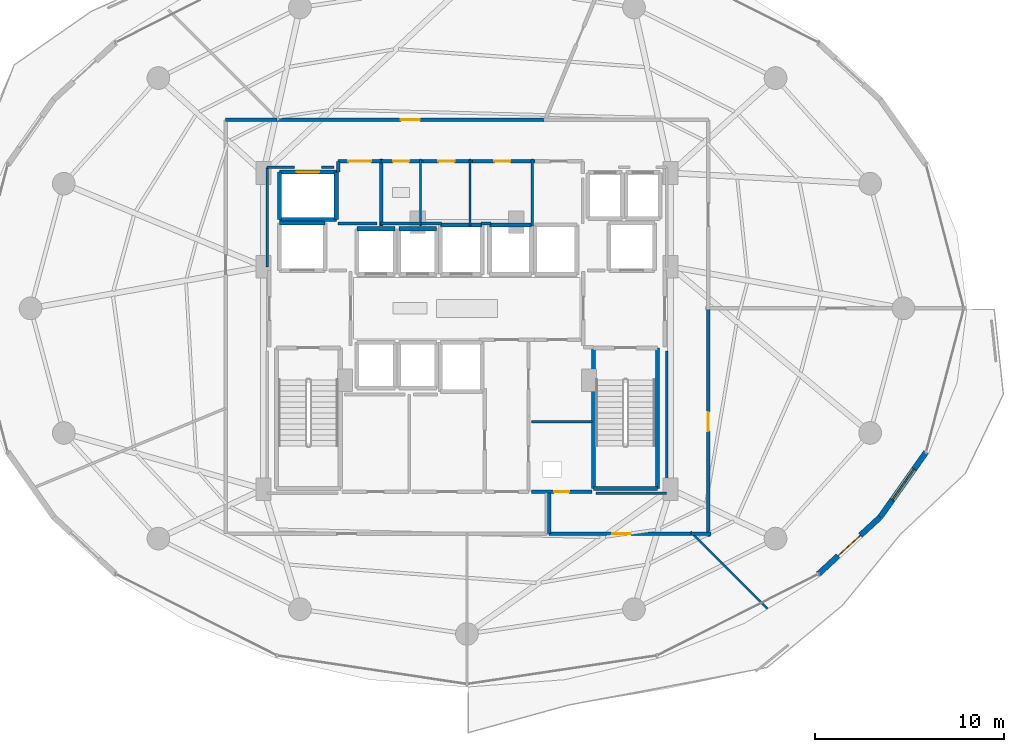
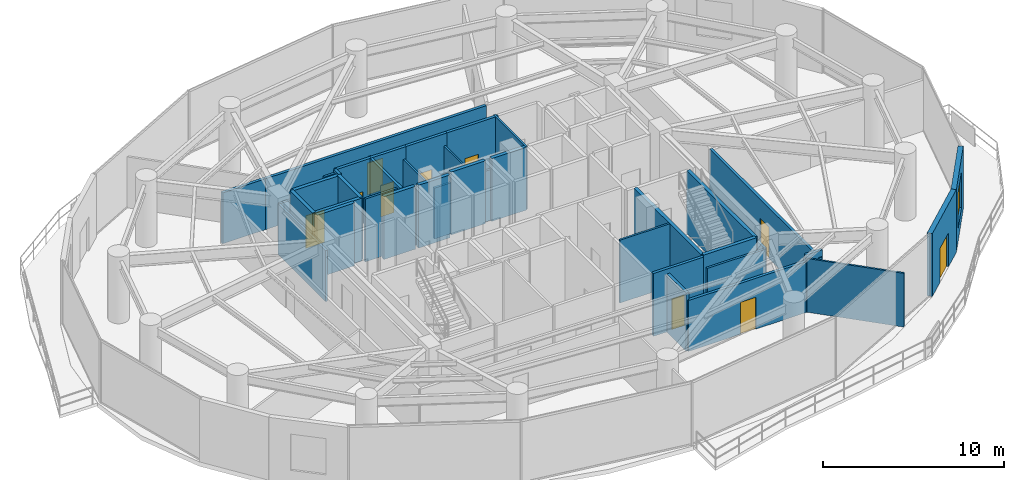
# One storey, part 21 of 27: 41 walls, 10 doors, 1 window, 11 openings.
"""IFC4 building model written with IfcOpenShell, lengths in metres."""

from ifc_helpers import new_model, si_unit, direction, frame, frame_2d, origin, place, context, subcontext, project, spatial, rectangle, extrude, material, layer, layer_set, type_object, element, fill, save


model = new_model("IFC4")

# Units and contexts
model_context = context("Model", 3, precision=1e-05, world=origin(), true_north=direction((0.0, 1.0)))
body_context = subcontext(model_context, "Body", "Model", "MODEL_VIEW")
ifc_project = project(units=[si_unit("LENGTHUNIT", "METRE"), si_unit("AREAUNIT", "SQUARE_METRE"), si_unit("VOLUMEUNIT", "CUBIC_METRE"), si_unit("PLANEANGLEUNIT", "RADIAN"), si_unit("MASSUNIT", "GRAM", prefix="KILO")], contexts=[model_context])

# Site, building, storey
site_placement = place(None, origin())
site = spatial("IfcSite", under=ifc_project, at=site_placement, CompositionType="ELEMENT")
building_placement = place(site_placement, origin())
building = spatial("IfcBuilding", under=site, at=building_placement, Name="Vorneva Point Tower", CompositionType="ELEMENT")
storey_placement = place(building_placement, frame((0.0, 0.0, 74.300048828125)))
storey = spatial("IfcBuildingStorey", under=building, at=storey_placement, Name="L19", CompositionType="ELEMENT", Elevation=74.300048828125)

# Wall
ifc_material_1 = material(Name="Concrete B60 (C50/60)", Category="concrete")
ifc_layer_1 = layer(ifc_material_1, 0.5)
ifc_layer_set_1 = layer_set([ifc_layer_1], Name="Concrete B60 (C50/60)")
wall_type_1 = type_object("IfcWallType", Name="WL-CORE-500", PredefinedType="SHEAR", material=ifc_layer_set_1)
wall_1_placement = place(storey_placement, frame((30.5, 30.5, 0.0), z_axis=(0.0, 0.0, 1.0), x_axis=(-1.0, 0.0, 0.0)))
element("IfcWall", 1, at=wall_1_placement, inside=storey, type_object=wall_type_1, Name="L19 Lift FFL1 Shaft Wall +Y", PredefinedType="SHEAR", context=body_context, shape_type="SweptSolid", body=[
    extrude(rectangle(XDim=2.39990234375, YDim=0.219970703125, at=frame_2d((1.199951171875, 0.0))), origin(), (0.0, 0.0, 1.0), 4.239990234375),
])

# Wall, opening, door
ifc_material_2 = material(Name="Precast concrete B50 (C40/50)", Category="concrete")
ifc_layer_2 = layer(ifc_material_2, 0.300048828125)
ifc_layer_set_2 = layer_set([ifc_layer_2], Name="Precast concrete B50 (C40/50)")
wall_type_2 = type_object("IfcWallType", Name="WL-EXT-300", PredefinedType="STANDARD", material=ifc_layer_set_2)
wall_2_placement = place(storey_placement, frame((56.5615234375, 11.9638671875, 0.0), z_axis=(0.0, 0.0, 1.0), x_axis=(0.735416718093, 0.677615119924, 0.0)))
wall_2 = element("IfcWall", 2, at=wall_2_placement, inside=storey, type_object=wall_type_2, Name="L19 Pale-Metal Facade Spandrel Wall 15.1", PredefinedType="STANDARD", context=body_context, shape_type="SweptSolid", body=[
    extrude(rectangle(XDim=4.439208984375, YDim=0.300048828125, at=frame_2d((2.2197265625, 0.0))), origin(), (0.0, 0.0, 1.0), 4.239990234375),
])
opening_1_placement = place(wall_2_placement, frame((1.41943359375, 0.0, 0.0)))
opening_1 = element("IfcOpeningElement", 3, at=opening_1_placement, cuts=wall_2, Name="Opening BD-01", PredefinedType="OPENING", context=body_context, shape_type="SweptSolid", body=[
    extrude(rectangle(XDim=1.60009765625, YDim=2.300048828125, at=frame_2d((0.800048828125, 1.14990234375))), frame((0.0, 0.1650390625, 0.0), z_axis=(0.0, -1.0, 0.0), x_axis=(1.0, 0.0, 0.0)), (0.0, 0.0, 1.0), 0.329833984375),
])
ifc_material_3 = material(Name="Pale anodised aluminium", Category="aluminium")
door_type_1 = type_object("IfcDoorType", Name="DR-BAL-1600", OperationType="SLIDING_TO_LEFT", PredefinedType="DOOR", material=ifc_material_3)
door_1_placement = place(opening_1_placement, origin())
door_1 = element("IfcDoor", 4, at=door_1_placement, inside=storey, type_object=door_type_1, Name="L19 Balcony Terrace Access Door 15", OperationType="SLIDING_TO_LEFT", OverallHeight=2.300048828125, OverallWidth=1.60009765625, PredefinedType="DOOR", context=body_context, shape_type="SweptSolid", body=[
    extrude(rectangle(XDim=1.60009765625, YDim=2.300048828125, at=frame_2d((0.800048828125, 1.14990234375))), frame((0.0, 0.02490234375, 0.0), z_axis=(0.0, -1.0, 0.0), x_axis=(1.0, 0.0, 0.0)), (0.0, 0.0, 1.0), 0.050048828125),
])
fill(opening_1, door_1)

# Wall, opening, window
wall_3_placement = place(storey_placement, frame((59.826171875, 14.971923828125, 0.0), z_axis=(0.0, 0.0, 1.0), x_axis=(0.57716435238, 0.81662801222, 0.0)))
wall_3 = element("IfcWall", 5, at=wall_3_placement, inside=storey, type_object=wall_type_2, Name="L19 Pale-Metal Facade Spandrel Wall 15.2", PredefinedType="STANDARD", context=body_context, shape_type="SweptSolid", body=[
    extrude(rectangle(XDim=4.202392578125, YDim=0.300048828125, at=frame_2d((2.10107421875, 0.0))), origin(), (0.0, 0.0, 1.0), 4.239990234375),
])
opening_2_placement = place(wall_3_placement, frame((1.101318359375, 0.0, 0.85009765625)))
opening_2 = element("IfcOpeningElement", 6, at=opening_2_placement, cuts=wall_3, Name="Opening W-07", PredefinedType="OPENING", context=body_context, shape_type="SweptSolid", body=[
    extrude(rectangle(XDim=2.0, YDim=2.449951171875, at=frame_2d((1.0, 1.22509765625))), frame((0.0, 0.1650390625, 0.0), z_axis=(0.0, -1.0, 0.0), x_axis=(1.0, 0.0, 0.0)), (0.0, 0.0, 1.0), 0.329833984375),
])
ifc_material_4 = material(Name="Double low-e laminated glass IGU", Category="glass")
window_type = type_object("IfcWindowType", Name="WN-SKY-2000", PartitioningType="SINGLE_PANEL", PredefinedType="WINDOW", material=ifc_material_4)
window_placement = place(opening_2_placement, origin())
window = element("IfcWindow", 7, at=window_placement, inside=storey, type_object=window_type, Name="L19 Facade Window 15", OverallHeight=2.449951171875, OverallWidth=2.0, PartitioningType="SINGLE_PANEL", PredefinedType="WINDOW", context=body_context, shape_type="SweptSolid", body=[
    extrude(rectangle(XDim=2.0, YDim=2.449951171875, at=frame_2d((1.0, 1.22509765625))), frame((0.0, 0.030029296875, 0.0), z_axis=(0.0, -1.0, 0.0), x_axis=(1.0, 0.0, 0.0)), (0.0, 0.0, 1.0), 0.06005859375),
])
fill(opening_2, window)

# Walls
ifc_material_5 = material(Name="Fire-rated acoustic gypsum stud partition", Category="gypsum")
ifc_layer_3 = layer(ifc_material_5, 0.110107421875)
ifc_layer_set_3 = layer_set([ifc_layer_3], Name="Fire-rated acoustic gypsum stud partition")
wall_type_3 = type_object("IfcWallType", Name="WL-PART-110", PredefinedType="PARTITIONING", material=ifc_layer_set_3)
for number, where, z_axis, x_axis, name in (
    (8, (35.550048828125, 30.340087890625, 0.0), (0.0, 0.0, 1.0), (0.0, 1.0, 0.0), "L19 Interior Partition 017"),
    (9, (38.14990234375, 30.340087890625, 0.0), (0.0, 0.0, 1.0), (0.0, 1.0, 0.0), "L19 Interior Partition 019"),
):
    element("IfcWall", number, at=place(storey_placement, frame(where, z_axis=z_axis, x_axis=x_axis)), inside=storey, type_object=wall_type_3, Name=name, PredefinedType="PARTITIONING", context=body_context, shape_type="SweptSolid", body=[
        extrude(rectangle(XDim=3.559814453125, YDim=0.110107421875, at=frame_2d((1.77978515625, 0.0))), origin(), (0.0, 0.0, 1.0), 3.431884765625),
    ])
wall_4_placement = place(storey_placement, frame((41.449951171875, 30.340087890625, 0.0), z_axis=(0.0, 0.0, 1.0), x_axis=(0.0, 1.0, 0.0)))
element("IfcWall", 10, at=wall_4_placement, inside=storey, type_object=wall_type_3, Name="L19 Interior Partition 021", PredefinedType="PARTITIONING", context=body_context, shape_type="SweptSolid", body=[
    extrude(rectangle(XDim=3.559814453125, YDim=0.110107421875, at=frame_2d((1.77978515625, 0.0))), origin(), (0.0, 0.0, 1.0), 4.239990234375),
])
wall_5_placement = place(storey_placement, frame((53.866943359375, 10.133056640625, 0.0), z_axis=(0.0, 0.0, 1.0), x_axis=(-0.707106781187, 0.707106781187, 0.0)))
element("IfcWall", 11, at=wall_5_placement, inside=storey, type_object=wall_type_3, Name="L19 Interior Partition 046", PredefinedType="PARTITIONING", context=body_context, shape_type="SweptSolid", body=[
    extrude(rectangle(XDim=5.75, YDim=0.110107421875, at=frame_2d((2.875, 0.0))), origin(), (0.0, 0.0, 1.0), 3.6240234375),
])
ifc_layer_4 = layer(ifc_material_5, 0.125)
ifc_layer_set_4 = layer_set([ifc_layer_4], Name="Fire-rated acoustic gypsum stud partition")
wall_type_4 = type_object("IfcWallType", Name="WL-PART-125", PredefinedType="PARTITIONING", material=ifc_layer_set_4)
wall_6_placement = place(storey_placement, frame((44.60009765625, 20.0, 0.0), z_axis=(0.0, 0.0, 1.0), x_axis=(-1.0, 0.0, 0.0)))
element("IfcWall", 12, at=wall_6_placement, inside=storey, type_object=wall_type_4, Name="L19 Interior Partition 015", PredefinedType="PARTITIONING", context=body_context, shape_type="SweptSolid", body=[
    extrude(rectangle(XDim=3.2001953125, YDim=0.125, at=frame_2d((1.60009765625, 0.0))), origin(), (0.0, 0.0, 1.0), 4.239990234375),
])
ifc_layer_5 = layer(ifc_material_5, 0.139892578125)
ifc_layer_set_5 = layer_set([ifc_layer_5], Name="Fire-rated acoustic gypsum stud partition")
wall_type_5 = type_object("IfcWallType", Name="WL-PART-140", PredefinedType="PARTITIONING", material=ifc_layer_set_5)
wall_7_placement = place(storey_placement, frame((31.199951171875, 30.47998046875, 0.0), z_axis=(0.0, 0.0, 1.0), x_axis=(1.0, 0.0, 0.0)))
element("IfcWall", 13, at=wall_7_placement, inside=storey, type_object=wall_type_5, Name="L19 Interior Closure Partition 049", PredefinedType="PARTITIONING", context=body_context, shape_type="SweptSolid", body=[
    extrude(rectangle(XDim=2.050048828125, YDim=0.139892578125, at=frame_2d((1.02490234375, 0.0))), origin(), (0.0, 0.0, 1.0), 4.239990234375),
])
wall_8_placement = place(storey_placement, frame((33.43994140625, 30.47998046875, 0.0), z_axis=(0.0, 0.0, 1.0), x_axis=(1.0, 0.0, 0.0)))
element("IfcWall", 14, at=wall_8_placement, inside=storey, type_object=wall_type_5, Name="L19 Interior Closure Partition 050", PredefinedType="PARTITIONING", context=body_context, shape_type="SweptSolid", body=[
    extrude(rectangle(XDim=2.14013671875, YDim=0.139892578125, at=frame_2d((1.070068359375, 0.0))), origin(), (0.0, 0.0, 1.0), 3.431884765625),
])
wall_9_placement = place(storey_placement, frame((35.60009765625, 30.47998046875, 0.0), z_axis=(0.0, 0.0, 1.0), x_axis=(1.0, 0.0, 0.0)))
element("IfcWall", 15, at=wall_9_placement, inside=storey, type_object=wall_type_5, Name="L19 Interior Closure Partition 051", PredefinedType="PARTITIONING", context=body_context, shape_type="SweptSolid", body=[
    extrude(rectangle(XDim=1.06494140625, YDim=0.139892578125, at=frame_2d((0.532470703125, 0.0))), origin(), (0.0, 0.0, 1.0), 3.431884765625),
])
wall_10_placement = place(storey_placement, frame((38.735107421875, 30.47998046875, 0.0), z_axis=(0.0, 0.0, 1.0), x_axis=(1.0, 0.0, 0.0)))
element("IfcWall", 16, at=wall_10_placement, inside=storey, type_object=wall_type_5, Name="L19 Interior Closure Partition 052", PredefinedType="PARTITIONING", context=body_context, shape_type="SweptSolid", body=[
    extrude(rectangle(XDim=0.52978515625, YDim=0.139892578125, at=frame_2d((0.264892578125, 0.0))), origin(), (0.0, 0.0, 1.0), 3.431884765625),
])
wall_11_placement = place(storey_placement, frame((48.550048828125, 23.75390625, 0.0), z_axis=(0.0, 0.0, 1.0), x_axis=(0.0, -1.0, 0.0)))
element("IfcWall", 17, at=wall_11_placement, inside=storey, type_object=wall_type_5, Name="L19 Interior Closure Partition 059", PredefinedType="PARTITIONING", context=body_context, shape_type="SweptSolid", body=[
    extrude(rectangle(XDim=7.513916015625, YDim=0.139892578125, at=frame_2d((3.7568359375, 0.0))), origin(), (0.0, 0.0, 1.0), 3.431884765625),
])
wall_12_placement = place(storey_placement, frame((48.550048828125, 16.239990234375, 0.0), z_axis=(0.0, 0.0, 1.0), x_axis=(-1.0, 0.0, 0.0)))
element("IfcWall", 18, at=wall_12_placement, inside=storey, type_object=wall_type_5, Name="L19 Interior Closure Partition 060", PredefinedType="PARTITIONING", context=body_context, shape_type="SweptSolid", body=[
    extrude(rectangle(XDim=3.7451171875, YDim=0.139892578125, at=frame_2d((1.87255859375, 0.0))), origin(), (0.0, 0.0, 1.0), 3.431884765625),
])
wall_13_placement = place(storey_placement, frame((27.449951171875, 28.196044921875, 0.0), z_axis=(0.0, 0.0, 1.0), x_axis=(0.0, 1.0, 0.0)))
element("IfcWall", 19, at=wall_13_placement, inside=storey, type_object=wall_type_5, Name="L19 Interior Closure Partition 063", PredefinedType="PARTITIONING", context=body_context, shape_type="SweptSolid", body=[
    extrude(rectangle(XDim=5.25390625, YDim=0.139892578125, at=frame_2d((2.626953125, 0.0))), origin(), (0.0, 0.0, 1.0), 3.431884765625),
])
wall_14_placement = place(storey_placement, frame((27.449951171875, 33.449951171875, 0.0), z_axis=(0.0, 0.0, 1.0), x_axis=(1.0, 0.0, 0.0)))
element("IfcWall", 20, at=wall_14_placement, inside=storey, type_object=wall_type_5, Name="L19 Interior Closure Partition 064", PredefinedType="PARTITIONING", context=body_context, shape_type="SweptSolid", body=[
    extrude(rectangle(XDim=1.444091796875, YDim=0.139892578125, at=frame_2d((0.72216796875, 0.0))), origin(), (0.0, 0.0, 1.0), 3.431884765625),
])
wall_15_placement = place(storey_placement, frame((30.305908203125, 33.449951171875, 0.0), z_axis=(0.0, 0.0, 1.0), x_axis=(1.0, 0.0, 0.0)))
element("IfcWall", 21, at=wall_15_placement, inside=storey, type_object=wall_type_5, Name="L19 Interior Closure Partition 065", PredefinedType="PARTITIONING", context=body_context, shape_type="SweptSolid", body=[
    extrude(rectangle(XDim=0.674072265625, YDim=0.139892578125, at=frame_2d((0.3369140625, 0.0))), origin(), (0.0, 0.0, 1.0), 4.239990234375),
])
ifc_material_6 = material(Name="Autoclaved aerated concrete blockwork", Category="masonry")
ifc_layer_6 = layer(ifc_material_6, 0.179931640625)
ifc_layer_set_6 = layer_set([ifc_layer_6], Name="Autoclaved aerated concrete blockwork")
wall_type_6 = type_object("IfcWallType", Name="WL-PART-180", PredefinedType="PARTITIONING", material=ifc_layer_set_6)
wall_16_placement = place(storey_placement, frame((33.469970703125, 30.340087890625, 0.0), z_axis=(0.0, 0.0, 1.0), x_axis=(0.0, 1.0, 0.0)))
element("IfcWall", 22, at=wall_16_placement, inside=storey, type_object=wall_type_6, Name="L19 Interior Partition 006", PredefinedType="PARTITIONING", context=body_context, shape_type="SweptSolid", body=[
    extrude(rectangle(XDim=3.559814453125, YDim=0.179931640625, at=frame_2d((1.77978515625, 0.0))), origin(), (0.0, 0.0, 1.0), 4.239990234375),
])

# Wall, opening, door
wall_17_placement = place(storey_placement, frame((33.469970703125, 33.760009765625, 0.0), z_axis=(0.0, 0.0, 1.0), x_axis=(-1.0, 0.0, 0.0)))
wall_17 = element("IfcWall", 23, at=wall_17_placement, inside=storey, type_object=wall_type_6, Name="L19 Interior Partition 007", PredefinedType="PARTITIONING", context=body_context, shape_type="SweptSolid", body=[
    extrude(rectangle(XDim=2.27001953125, YDim=0.179931640625, at=frame_2d((1.135009765625, 0.0))), origin(), (0.0, 0.0, 1.0), 4.239990234375),
])
opening_3_placement = place(wall_17_placement, frame((0.534912109375, 0.0, 0.0)))
opening_3 = element("IfcOpeningElement", 24, at=opening_3_placement, cuts=wall_17, Name="Opening FD-02", PredefinedType="OPENING", context=body_context, shape_type="SweptSolid", body=[
    extrude(rectangle(XDim=1.199951171875, YDim=2.14990234375, at=frame_2d((0.60009765625, 1.074951171875))), frame((0.0, 0.10498046875, 0.0), z_axis=(0.0, -1.0, 0.0), x_axis=(1.0, 0.0, 0.0)), (0.0, 0.0, 1.0), 0.209716796875),
])
ifc_material_7 = material(Name="Fire-rated powder-coated steel", Category="steel")
door_type_2 = type_object("IfcDoorType", Name="DR-FFL-1200", OperationType="NOTDEFINED", PredefinedType="DOOR", material=ifc_material_7)
door_2_placement = place(opening_3_placement, origin())
door_2 = element("IfcDoor", 25, at=door_2_placement, inside=storey, type_object=door_type_2, Name="L19 Door Service Lift Lobby / L19 Circulation Corridor", OperationType="SINGLE_SWING_LEFT", OverallHeight=2.14990234375, OverallWidth=1.199951171875, PredefinedType="DOOR", context=body_context, shape_type="SweptSolid", body=[
    extrude(rectangle(XDim=1.199951171875, YDim=2.14990234375, at=frame_2d((0.60009765625, 1.074951171875))), frame((0.0, 0.02490234375, 0.0), z_axis=(0.0, -1.0, 0.0), x_axis=(1.0, 0.0, 0.0)), (0.0, 0.0, 1.0), 0.050048828125),
])
fill(opening_3, door_2)

# Wall
wall_18_placement = place(storey_placement, frame((31.199951171875, 33.760009765625, 0.0), z_axis=(0.0, 0.0, 1.0), x_axis=(0.0, -1.0, 0.0)))
element("IfcWall", 26, at=wall_18_placement, inside=storey, type_object=wall_type_6, Name="L19 Interior Partition 008", PredefinedType="PARTITIONING", context=body_context, shape_type="SweptSolid", body=[
    extrude(rectangle(XDim=0.56005859375, YDim=0.179931640625, at=frame_2d((0.280029296875, 0.0))), origin(), (0.0, 0.0, 1.0), 4.239990234375),
])

# Wall, opening, door
wall_19_placement = place(storey_placement, frame((41.39990234375, 16.320068359375, 0.0), z_axis=(0.0, 0.0, 1.0), x_axis=(1.0, 0.0, 0.0)))
wall_19 = element("IfcWall", 27, at=wall_19_placement, inside=storey, type_object=wall_type_6, Name="L19 Interior Partition 016", PredefinedType="PARTITIONING", context=body_context, shape_type="SweptSolid", body=[
    extrude(rectangle(XDim=3.2001953125, YDim=0.179931640625, at=frame_2d((1.60009765625, 0.0))), origin(), (0.0, 0.0, 1.0), 4.239990234375),
])
opening_4_placement = place(wall_19_placement, frame((1.199951171875, 0.0, 0.0)))
opening_4 = element("IfcOpeningElement", 28, at=opening_4_placement, cuts=wall_19, Name="Opening RD-01", PredefinedType="OPENING", context=body_context, shape_type="SweptSolid", body=[
    extrude(rectangle(XDim=0.800048828125, YDim=2.050048828125, at=frame_2d((0.39990234375, 1.02490234375))), frame((0.0, 0.10498046875, 0.0), z_axis=(0.0, -1.0, 0.0), x_axis=(1.0, 0.0, 0.0)), (0.0, 0.0, 1.0), 0.209716796875),
])
door_type_3 = type_object("IfcDoorType", Name="DR-RSR-800", OperationType="SINGLE_SWING_LEFT", PredefinedType="DOOR", material=ifc_material_7)
door_3_placement = place(opening_4_placement, origin())
door_3 = element("IfcDoor", 29, at=door_3_placement, inside=storey, type_object=door_type_3, Name="L19 Door Electrical Riser / L19 Circulation Corridor", OperationType="SINGLE_SWING_RIGHT", OverallHeight=2.050048828125, OverallWidth=0.800048828125, PredefinedType="DOOR", context=body_context, shape_type="SweptSolid", body=[
    extrude(rectangle(XDim=0.800048828125, YDim=2.050048828125, at=frame_2d((0.39990234375, 1.02490234375))), frame((0.0, 0.02490234375, 0.0), z_axis=(0.0, -1.0, 0.0), x_axis=(1.0, 0.0, 0.0)), (0.0, 0.0, 1.0), 0.050048828125),
])
fill(opening_4, door_3)

wall_20_placement = place(storey_placement, frame((35.68994140625, 33.760009765625, 0.0), z_axis=(0.0, 0.0, 1.0), x_axis=(-1.0, 0.0, 0.0)))
wall_20 = element("IfcWall", 30, at=wall_20_placement, inside=storey, type_object=wall_type_6, Name="L19 Interior Partition 018", PredefinedType="PARTITIONING", context=body_context, shape_type="SweptSolid", body=[
    extrude(rectangle(XDim=2.329833984375, YDim=0.179931640625, at=frame_2d((1.1650390625, 0.0))), origin(), (0.0, 0.0, 1.0), 4.239990234375),
])
opening_5_placement = place(wall_20_placement, frame((0.739990234375, 0.0, 0.0)))
opening_5 = element("IfcOpeningElement", 31, at=opening_5_placement, cuts=wall_20, Name="Opening ID-02", PredefinedType="OPENING", context=body_context, shape_type="SweptSolid", body=[
    extrude(rectangle(XDim=0.85009765625, YDim=2.10009765625, at=frame_2d((0.425048828125, 1.050048828125))), frame((0.0, 0.10498046875, 0.0), z_axis=(0.0, -1.0, 0.0), x_axis=(1.0, 0.0, 0.0)), (0.0, 0.0, 1.0), 0.209716796875),
])
ifc_material_8 = material(Name="Engineered oak fire-rated door leaf", Category="wood")
door_type_4 = type_object("IfcDoorType", Name="DR-BATH-850", OperationType="NOTDEFINED", PredefinedType="DOOR", material=ifc_material_8)
door_4_placement = place(opening_5_placement, origin())
door_4 = element("IfcDoor", 32, at=door_4_placement, inside=storey, type_object=door_type_4, Name="L19 Door Accessible WC / L19 Circulation Corridor", OperationType="SINGLE_SWING_LEFT", OverallHeight=2.10009765625, OverallWidth=0.85009765625, PredefinedType="DOOR", context=body_context, shape_type="SweptSolid", body=[
    extrude(rectangle(XDim=0.85009765625, YDim=2.10009765625, at=frame_2d((0.425048828125, 1.050048828125))), frame((0.0, 0.02490234375, 0.0), z_axis=(0.0, -1.0, 0.0), x_axis=(1.0, 0.0, 0.0)), (0.0, 0.0, 1.0), 0.050048828125),
])
fill(opening_5, door_4)

wall_21_placement = place(storey_placement, frame((38.2900390625, 33.760009765625, 0.0), z_axis=(0.0, 0.0, 1.0), x_axis=(-1.0, 0.0, 0.0)))
wall_21 = element("IfcWall", 33, at=wall_21_placement, inside=storey, type_object=wall_type_6, Name="L19 Interior Partition 020", PredefinedType="PARTITIONING", context=body_context, shape_type="SweptSolid", body=[
    extrude(rectangle(XDim=2.739990234375, YDim=0.179931640625, at=frame_2d((1.3701171875, 0.0))), origin(), (0.0, 0.0, 1.0), 4.239990234375),
])
opening_6_placement = place(wall_21_placement, frame((0.945068359375, 0.0, 0.0)))
opening_6 = element("IfcOpeningElement", 34, at=opening_6_placement, cuts=wall_21, Name="Opening ID-02", PredefinedType="OPENING", context=body_context, shape_type="SweptSolid", body=[
    extrude(rectangle(XDim=0.85009765625, YDim=2.10009765625, at=frame_2d((0.425048828125, 1.050048828125))), frame((0.0, 0.10498046875, 0.0), z_axis=(0.0, -1.0, 0.0), x_axis=(1.0, 0.0, 0.0)), (0.0, 0.0, 1.0), 0.209716796875),
])
door_5_placement = place(opening_6_placement, origin())
door_5 = element("IfcDoor", 35, at=door_5_placement, inside=storey, type_object=door_type_4, Name="L19 Door Public Male WC / L19 Circulation Corridor", OperationType="SINGLE_SWING_RIGHT", OverallHeight=2.10009765625, OverallWidth=0.85009765625, PredefinedType="DOOR", context=body_context, shape_type="SweptSolid", body=[
    extrude(rectangle(XDim=0.85009765625, YDim=2.10009765625, at=frame_2d((0.425048828125, 1.050048828125))), frame((0.0, 0.02490234375, 0.0), z_axis=(0.0, -1.0, 0.0), x_axis=(1.0, 0.0, 0.0)), (0.0, 0.0, 1.0), 0.050048828125),
])
fill(opening_6, door_5)

wall_22_placement = place(storey_placement, frame((41.590087890625, 33.760009765625, 0.0), z_axis=(0.0, 0.0, 1.0), x_axis=(-1.0, 0.0, 0.0)))
wall_22 = element("IfcWall", 36, at=wall_22_placement, inside=storey, type_object=wall_type_6, Name="L19 Interior Partition 022", PredefinedType="PARTITIONING", context=body_context, shape_type="SweptSolid", body=[
    extrude(rectangle(XDim=3.440185546875, YDim=0.179931640625, at=frame_2d((1.72021484375, 0.0))), origin(), (0.0, 0.0, 1.0), 4.239990234375),
])
opening_7_placement = place(wall_22_placement, frame((1.294921875, 0.0, 0.0)))
opening_7 = element("IfcOpeningElement", 37, at=opening_7_placement, cuts=wall_22, Name="Opening ID-02", PredefinedType="OPENING", context=body_context, shape_type="SweptSolid", body=[
    extrude(rectangle(XDim=0.85009765625, YDim=2.10009765625, at=frame_2d((0.425048828125, 1.050048828125))), frame((0.0, 0.10498046875, 0.0), z_axis=(0.0, -1.0, 0.0), x_axis=(1.0, 0.0, 0.0)), (0.0, 0.0, 1.0), 0.209716796875),
])
door_6_placement = place(opening_7_placement, origin())
door_6 = element("IfcDoor", 38, at=door_6_placement, inside=storey, type_object=door_type_4, Name="L19 Door Public Female WC / L19 Circulation Corridor", OperationType="SINGLE_SWING_LEFT", OverallHeight=2.10009765625, OverallWidth=0.85009765625, PredefinedType="DOOR", context=body_context, shape_type="SweptSolid", body=[
    extrude(rectangle(XDim=0.85009765625, YDim=2.10009765625, at=frame_2d((0.425048828125, 1.050048828125))), frame((0.0, 0.02490234375, 0.0), z_axis=(0.0, -1.0, 0.0), x_axis=(1.0, 0.0, 0.0)), (0.0, 0.0, 1.0), 0.050048828125),
])
fill(opening_7, door_6)

wall_23_placement = place(storey_placement, frame((42.06103515625, 35.949951171875, 0.0), z_axis=(0.0, 0.0, 1.0), x_axis=(-1.0, 0.0, 0.0)))
wall_23 = element("IfcWall", 39, at=wall_23_placement, inside=storey, type_object=wall_type_6, Name="L19 Interior Partition 030", PredefinedType="PARTITIONING", context=body_context, shape_type="SweptSolid", body=[
    extrude(rectangle(XDim=14.095947265625, YDim=0.179931640625, at=frame_2d((7.0478515625, 0.0))), origin(), (0.0, 0.0, 1.0), 3.431884765625),
])
opening_8_placement = place(wall_23_placement, frame((6.548095703125, 0.0, 0.0)))
opening_8 = element("IfcOpeningElement", 40, at=opening_8_placement, cuts=wall_23, Name="Opening UD-01", PredefinedType="OPENING", context=body_context, shape_type="SweptSolid", body=[
    extrude(rectangle(XDim=1.0, YDim=2.14990234375, at=frame_2d((0.5, 1.074951171875))), frame((0.0, 0.10498046875, 0.0), z_axis=(0.0, -1.0, 0.0), x_axis=(1.0, 0.0, 0.0)), (0.0, 0.0, 1.0), 0.209716796875),
])
door_type_5 = type_object("IfcDoorType", Name="DR-UNIT-1000", OperationType="NOTDEFINED", PredefinedType="DOOR", material=ifc_material_8)
door_7_placement = place(opening_8_placement, origin())
door_7 = element("IfcDoor", 41, at=door_7_placement, inside=storey, type_object=door_type_5, Name="L19 Door L19 Circulation Corridor / Sky Lounge L19", OperationType="SINGLE_SWING_RIGHT", OverallHeight=2.14990234375, OverallWidth=1.0, PredefinedType="DOOR", context=body_context, shape_type="SweptSolid", body=[
    extrude(rectangle(XDim=1.0, YDim=2.14990234375, at=frame_2d((0.5, 1.074951171875))), frame((0.0, 0.02490234375, 0.0), z_axis=(0.0, -1.0, 0.0), x_axis=(1.0, 0.0, 0.0)), (0.0, 0.0, 1.0), 0.050048828125),
])
fill(opening_8, door_7)

# Walls
wall_24_placement = place(storey_placement, frame((27.965087890625, 35.949951171875, 0.0), z_axis=(0.0, 0.0, 1.0), x_axis=(-1.0, 0.0, 0.0)))
element("IfcWall", 42, at=wall_24_placement, inside=storey, type_object=wall_type_6, Name="L19 Interior Partition 031", PredefinedType="PARTITIONING", context=body_context, shape_type="SweptSolid", body=[
    extrude(rectangle(XDim=2.715087890625, YDim=0.179931640625, at=frame_2d((1.357421875, 0.0))), origin(), (0.0, 0.0, 1.0), 3.431884765625),
])
wall_25_placement = place(storey_placement, frame((42.340087890625, 16.239990234375, 0.0), z_axis=(0.0, 0.0, 1.0), x_axis=(0.0, -1.0, 0.0)))
element("IfcWall", 43, at=wall_25_placement, inside=storey, type_object=wall_type_6, Name="L19 Interior Partition 035", PredefinedType="PARTITIONING", context=body_context, shape_type="SweptSolid", body=[
    extrude(rectangle(XDim=2.139892578125, YDim=0.179931640625, at=frame_2d((1.06982421875, 0.0))), origin(), (0.0, 0.0, 1.0), 3.921875),
])

# Wall, opening, door
wall_26_placement = place(storey_placement, frame((42.340087890625, 14.10009765625, 0.0), z_axis=(0.0, 0.0, 1.0), x_axis=(1.0, 0.0, 0.0)))
wall_26 = element("IfcWall", 44, at=wall_26_placement, inside=storey, type_object=wall_type_6, Name="L19 Interior Partition 036", PredefinedType="PARTITIONING", context=body_context, shape_type="SweptSolid", body=[
    extrude(rectangle(XDim=7.64501953125, YDim=0.179931640625, at=frame_2d((3.822509765625, 0.0))), origin(), (0.0, 0.0, 1.0), 3.431884765625),
])
opening_9_placement = place(wall_26_placement, frame((3.322509765625, 0.0, 0.0)))
opening_9 = element("IfcOpeningElement", 45, at=opening_9_placement, cuts=wall_26, Name="Opening UD-01", PredefinedType="OPENING", context=body_context, shape_type="SweptSolid", body=[
    extrude(rectangle(XDim=1.0, YDim=2.14990234375, at=frame_2d((0.5, 1.074951171875))), frame((0.0, 0.10498046875, 0.0), z_axis=(0.0, -1.0, 0.0), x_axis=(1.0, 0.0, 0.0)), (0.0, 0.0, 1.0), 0.209716796875),
])
door_8_placement = place(opening_9_placement, origin())
door_8 = element("IfcDoor", 46, at=door_8_placement, inside=storey, type_object=door_type_5, Name="L19 Door L19 Circulation Corridor / Sky Bar and Dining Room L19", OperationType="SINGLE_SWING_LEFT", OverallHeight=2.14990234375, OverallWidth=1.0, PredefinedType="DOOR", context=body_context, shape_type="SweptSolid", body=[
    extrude(rectangle(XDim=1.0, YDim=2.14990234375, at=frame_2d((0.5, 1.074951171875))), frame((0.0, 0.02490234375, 0.0), z_axis=(0.0, -1.0, 0.0), x_axis=(1.0, 0.0, 0.0)), (0.0, 0.0, 1.0), 0.050048828125),
])
fill(opening_9, door_8)

# Wall
wall_27_placement = place(storey_placement, frame((49.844970703125, 14.10009765625, 0.0), z_axis=(0.0, 0.0, 1.0), x_axis=(1.0, 0.0, 0.0)))
element("IfcWall", 47, at=wall_27_placement, inside=storey, type_object=wall_type_6, Name="L19 Interior Partition 039", PredefinedType="PARTITIONING", context=body_context, shape_type="SweptSolid", body=[
    extrude(rectangle(XDim=1.044921875, YDim=0.179931640625, at=frame_2d((0.5224609375, 0.0))), origin(), (0.0, 0.0, 1.0), 3.8740234375),
])

# Wall, opening, door
wall_28_placement = place(storey_placement, frame((50.75, 13.9599609375, 0.0), z_axis=(0.0, 0.0, 1.0), x_axis=(0.0, 1.0, 0.0)))
wall_28 = element("IfcWall", 48, at=wall_28_placement, inside=storey, type_object=wall_type_6, Name="L19 Interior Partition 040", PredefinedType="PARTITIONING", context=body_context, shape_type="SweptSolid", body=[
    extrude(rectangle(XDim=12.1201171875, YDim=0.179931640625, at=frame_2d((6.06005859375, 0.0))), origin(), (0.0, 0.0, 1.0), 3.431884765625),
])
opening_10_placement = place(wall_28_placement, frame((5.56005859375, 0.0, 0.0)))
opening_10 = element("IfcOpeningElement", 49, at=opening_10_placement, cuts=wall_28, Name="Opening UD-01", PredefinedType="OPENING", context=body_context, shape_type="SweptSolid", body=[
    extrude(rectangle(XDim=1.0, YDim=2.14990234375, at=frame_2d((0.5, 1.074951171875))), frame((0.0, 0.10498046875, 0.0), z_axis=(0.0, -1.0, 0.0), x_axis=(1.0, 0.0, 0.0)), (0.0, 0.0, 1.0), 0.209716796875),
])
door_9_placement = place(opening_10_placement, origin())
door_9 = element("IfcDoor", 50, at=door_9_placement, inside=storey, type_object=door_type_5, Name="L19 Door L19 Circulation Corridor / Concierge Pantry L19", OperationType="SINGLE_SWING_RIGHT", OverallHeight=2.14990234375, OverallWidth=1.0, PredefinedType="DOOR", context=body_context, shape_type="SweptSolid", body=[
    extrude(rectangle(XDim=1.0, YDim=2.14990234375, at=frame_2d((0.5, 1.074951171875))), frame((0.0, 0.02490234375, 0.0), z_axis=(0.0, -1.0, 0.0), x_axis=(1.0, 0.0, 0.0)), (0.0, 0.0, 1.0), 0.050048828125),
])
fill(opening_10, door_9)

# Walls
ifc_material_9 = material(Name="Concrete B50 (C40/50)", Category="concrete")
ifc_layer_7 = layer(ifc_material_9, 0.219970703125)
ifc_layer_set_7 = layer_set([ifc_layer_7], Name="Concrete B50 (C40/50)")
wall_type_7 = type_object("IfcWallType", Name="WL-SHFT-220", PredefinedType="SOLIDWALL", material=ifc_layer_set_7)
wall_29_placement = place(storey_placement, frame((48.06005859375, 23.909912109375, 0.0), z_axis=(0.0, 0.0, 1.0), x_axis=(0.0, -1.0, 0.0)))
element("IfcWall", 51, at=wall_29_placement, inside=storey, type_object=wall_type_7, Name="L19 Exit Stair ST2 Shaft Wall right", PredefinedType="SOLIDWALL", context=body_context, shape_type="SweptSolid", body=[
    extrude(rectangle(XDim=7.419921875, YDim=0.219970703125, at=frame_2d((3.7099609375, 0.0))), origin(), (0.0, 0.0, 1.0), 4.239990234375),
])
wall_30_placement = place(storey_placement, frame((48.06005859375, 16.489990234375, 0.0), z_axis=(0.0, 0.0, 1.0), x_axis=(-1.0, 0.0, 0.0)))
element("IfcWall", 52, at=wall_30_placement, inside=storey, type_object=wall_type_7, Name="L19 Exit Stair ST2 Shaft Wall far", PredefinedType="SOLIDWALL", context=body_context, shape_type="SweptSolid", body=[
    extrude(rectangle(XDim=3.3701171875, YDim=0.219970703125, at=frame_2d((1.68505859375, 0.0))), origin(), (0.0, 0.0, 1.0), 4.239990234375),
])
wall_31_placement = place(storey_placement, frame((44.68994140625, 16.489990234375, 0.0), z_axis=(0.0, 0.0, 1.0), x_axis=(0.0, 1.0, 0.0)))
element("IfcWall", 53, at=wall_31_placement, inside=storey, type_object=wall_type_7, Name="L19 Exit Stair ST2 Shaft Wall left", PredefinedType="SOLIDWALL", context=body_context, shape_type="SweptSolid", body=[
    extrude(rectangle(XDim=7.419921875, YDim=0.219970703125, at=frame_2d((3.7099609375, 0.0))), origin(), (0.0, 0.0, 1.0), 4.239990234375),
])
for number, where, z_axis, x_axis, name in (
    (54, (34.199951171875, 30.199951171875, 0.0), (0.0, 0.0, 1.0), (-1.0, 0.0, 0.0), "L19 Lift PL1 Shaft Wall +Y"),
    (55, (36.39990234375, 30.199951171875, 0.0), (0.0, 0.0, 1.0), (-1.0, 0.0, 0.0), "L19 Lift PL2 Shaft Wall +Y"),
):
    element("IfcWall", number, at=place(storey_placement, frame(where, z_axis=z_axis, x_axis=x_axis)), inside=storey, type_object=wall_type_7, Name=name, PredefinedType="SOLIDWALL", context=body_context, shape_type="SweptSolid", body=[
        extrude(rectangle(XDim=2.0, YDim=0.219970703125, at=frame_2d((1.0, 0.0))), origin(), (0.0, 0.0, 1.0), 4.239990234375),
    ])
for number, where, z_axis, x_axis, name in (
    (56, (38.800048828125, 30.39990234375, 0.0), (0.0, 0.0, 1.0), (-1.0, 0.0, 0.0), "L19 Lift PL3 Shaft Wall +Y"),
    (57, (41.39990234375, 30.39990234375, 0.0), (0.0, 0.0, 1.0), (-1.0, 0.0, 0.0), "L19 Lift PL7 Shaft Wall +Y"),
):
    element("IfcWall", number, at=place(storey_placement, frame(where, z_axis=z_axis, x_axis=x_axis)), inside=storey, type_object=wall_type_7, Name=name, PredefinedType="SOLIDWALL", context=body_context, shape_type="SweptSolid", body=[
        extrude(rectangle(XDim=2.199951171875, YDim=0.219970703125, at=frame_2d((1.10009765625, 0.0))), origin(), (0.0, 0.0, 1.0), 4.239990234375),
    ])
wall_32_placement = place(storey_placement, frame((28.10009765625, 30.699951171875, 0.0), z_axis=(0.0, 0.0, 1.0), x_axis=(1.0, 0.0, 0.0)))
element("IfcWall", 58, at=wall_32_placement, inside=storey, type_object=wall_type_7, Name="L19 Lift SVL1 Shaft Wall -Y", PredefinedType="SOLIDWALL", context=body_context, shape_type="SweptSolid", body=[
    extrude(rectangle(XDim=3.0, YDim=0.219970703125, at=frame_2d((1.5, 0.0))), origin(), (0.0, 0.0, 1.0), 4.239990234375),
])
wall_33_placement = place(storey_placement, frame((31.10009765625, 30.699951171875, 0.0), z_axis=(0.0, 0.0, 1.0), x_axis=(0.0, 1.0, 0.0)))
element("IfcWall", 59, at=wall_33_placement, inside=storey, type_object=wall_type_7, Name="L19 Lift SVL1 Shaft Wall +X", PredefinedType="SOLIDWALL", context=body_context, shape_type="SweptSolid", body=[
    extrude(rectangle(XDim=2.5, YDim=0.219970703125, at=frame_2d((1.25, 0.0))), origin(), (0.0, 0.0, 1.0), 4.239990234375),
])

# Wall, opening, door
wall_34_placement = place(storey_placement, frame((31.10009765625, 33.199951171875, 0.0), z_axis=(0.0, 0.0, 1.0), x_axis=(-1.0, 0.0, 0.0)))
wall_34 = element("IfcWall", 60, at=wall_34_placement, inside=storey, type_object=wall_type_7, Name="L19 Lift SVL1 Shaft Wall +Y", PredefinedType="SOLIDWALL", context=body_context, shape_type="SweptSolid", body=[
    extrude(rectangle(XDim=3.0, YDim=0.219970703125, at=frame_2d((1.5, 0.0))), origin(), (0.0, 0.0, 1.0), 4.239990234375),
])
opening_11_placement = place(wall_34_placement, frame((0.89990234375, 0.0, 0.0)))
opening_11 = element("IfcOpeningElement", 61, at=opening_11_placement, cuts=wall_34, Name="Opening LD-02", PredefinedType="OPENING", context=body_context, shape_type="SweptSolid", body=[
    extrude(rectangle(XDim=1.199951171875, YDim=2.199951171875, at=frame_2d((0.60009765625, 1.10009765625))), frame((0.0, 0.125, 0.0), z_axis=(0.0, -1.0, 0.0), x_axis=(1.0, 0.0, 0.0)), (0.0, 0.0, 1.0), 0.249755859375),
])
ifc_material_10 = material(Name="Brushed stainless steel S304", Category="steel")
door_type_6 = type_object("IfcDoorType", Name="LD-FIRE-1200", OperationType="SLIDING_TO_LEFT", PredefinedType="DOOR", material=ifc_material_10)
door_10_placement = place(opening_11_placement, origin())
door_10 = element("IfcDoor", 62, at=door_10_placement, inside=storey, type_object=door_type_6, Name="L19 Lift SVL1 Sliding Landing Door", OperationType="SLIDING_TO_LEFT", OverallHeight=2.199951171875, OverallWidth=1.199951171875, PredefinedType="DOOR", context=body_context, shape_type="SweptSolid", body=[
    extrude(rectangle(XDim=1.199951171875, YDim=2.199951171875, at=frame_2d((0.60009765625, 1.10009765625))), frame((0.0, 0.02490234375, 0.0), z_axis=(0.0, -1.0, 0.0), x_axis=(1.0, 0.0, 0.0)), (0.0, 0.0, 1.0), 0.050048828125),
])
fill(opening_11, door_10)

# Wall
wall_35_placement = place(storey_placement, frame((28.10009765625, 33.199951171875, 0.0), z_axis=(0.0, 0.0, 1.0), x_axis=(0.0, -1.0, 0.0)))
element("IfcWall", 63, at=wall_35_placement, inside=storey, type_object=wall_type_7, Name="L19 Lift SVL1 Shaft Wall -X", PredefinedType="SOLIDWALL", context=body_context, shape_type="SweptSolid", body=[
    extrude(rectangle(XDim=2.5, YDim=0.219970703125, at=frame_2d((1.25, 0.0))), origin(), (0.0, 0.0, 1.0), 4.239990234375),
])

save(model, "model.ifc")
